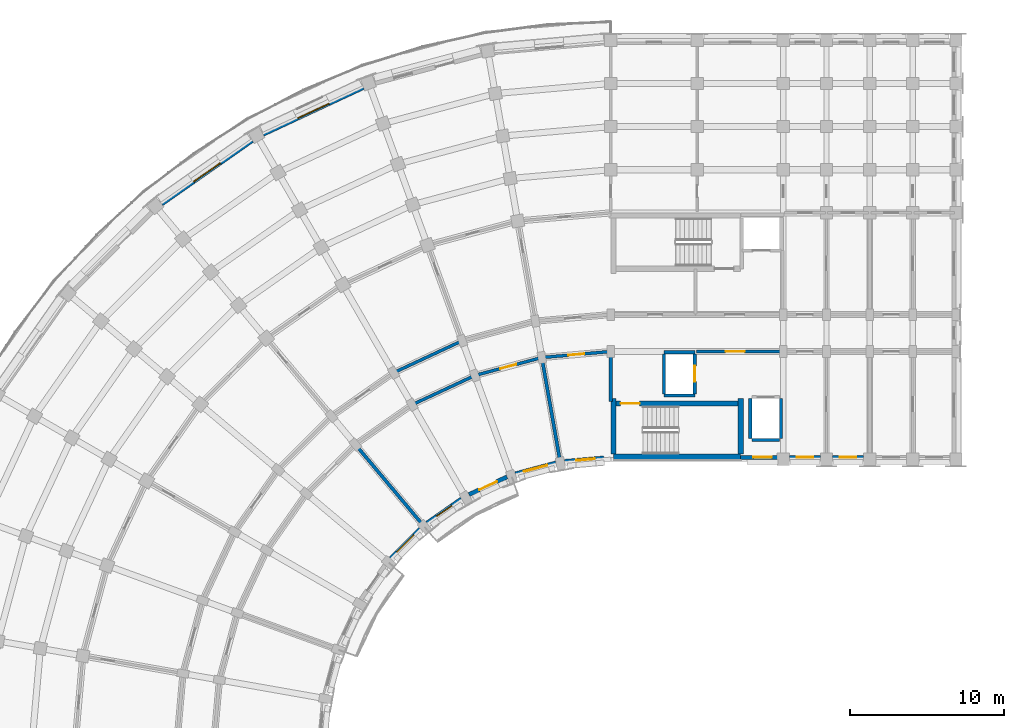
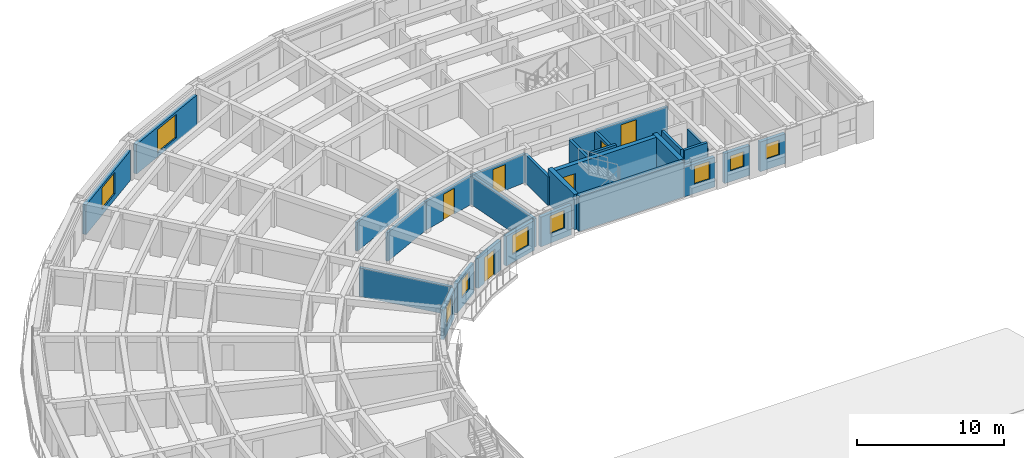
# One storey, part 45 of 76: 29 walls, 9 windows, 6 doors, 15 openings.
"""IFC4 building model written with IfcOpenShell, lengths in metres."""

from ifc_helpers import new_model, si_unit, direction, frame, frame_2d, origin, place, context, subcontext, project, spatial, rectangle, extrude, material, layer, layer_set, type_object, element, fill, save


model = new_model("IFC4")

# Units and contexts
model_context = context("Model", 3, precision=1e-05, world=origin(), true_north=direction((0.0, 1.0)))
body_context = subcontext(model_context, "Body", "Model", "MODEL_VIEW")
ifc_project = project(units=[si_unit("LENGTHUNIT", "METRE"), si_unit("AREAUNIT", "SQUARE_METRE"), si_unit("VOLUMEUNIT", "CUBIC_METRE"), si_unit("PLANEANGLEUNIT", "RADIAN"), si_unit("MASSUNIT", "GRAM", prefix="KILO")], contexts=[model_context])

# Site, building, storey
site_placement = place(None, origin())
site = spatial("IfcSite", under=ifc_project, at=site_placement, CompositionType="ELEMENT")
building_placement = place(site_placement, origin())
building = spatial("IfcBuilding", under=site, at=building_placement, Name="Kiranvali Square Residences", CompositionType="ELEMENT")
storey_placement = place(building_placement, frame((0.0, 0.0, 8.699951171875)))
storey = spatial("IfcBuildingStorey", under=building, at=storey_placement, Name="L02", CompositionType="ELEMENT", Elevation=8.699951171875)

# Wall, opening, door
ifc_material_1 = material(Name="Autoclaved aerated concrete blockwork masonry", Category="masonry")
ifc_layer_1 = layer(ifc_material_1, 0.199951171875)
ifc_layer_set_1 = layer_set([ifc_layer_1], Name="Autoclaved aerated concrete blockwork masonry")
wall_type_1 = type_object("IfcWallType", Name="WL-COR-200", PredefinedType="STANDARD", material=ifc_layer_set_1)
wall_1_placement = place(storey_placement, frame((53.75, 113.60009765625, 0.0), z_axis=(0.0, 0.0, 1.0), x_axis=(1.0, 0.0, 0.0)))
wall_1 = element("IfcWall", 1, at=wall_1_placement, inside=storey, type_object=wall_type_1, Name="L02 architectural wall WL-L02-A-LL-COR", PredefinedType="STANDARD", context=body_context, shape_type="SweptSolid", body=[
    extrude(rectangle(XDim=5.60009765625, YDim=0.199951171875, at=frame_2d((2.800048828125, 0.0))), origin(), (0.0, 0.0, 1.0), 2.3720703125),
])
opening_1_placement = place(wall_1_placement, frame((1.909912109375, 0.0, 0.0)))
opening_1 = element("IfcOpeningElement", 2, at=opening_1_placement, cuts=wall_1, Name="Opening FD-COR-60", PredefinedType="OPENING", context=body_context, shape_type="SweptSolid", body=[
    extrude(rectangle(XDim=1.219970703125, YDim=2.14990234375, at=frame_2d((0.60986328125, 1.074951171875))), frame((0.0, 0.10986328125, 0.0), z_axis=(0.0, -1.0, 0.0), x_axis=(1.0, 0.0, 0.0)), (0.0, 0.0, 1.0), 0.219970703125),
])
ifc_material_2 = material(Name="Fire-rated acoustic hardwood and mineral-core door assembly", Category="wood")
door_type_1 = type_object("IfcDoorType", Name="DR-FD60-1200", OperationType="NOTDEFINED", PredefinedType="DOOR", material=ifc_material_2)
door_1_placement = place(opening_1_placement, frame((1.219970703125, 0.0, 0.0), z_axis=(0.0, 0.0, 1.0), x_axis=(-1.0, 0.0, 0.0)))
door_1 = element("IfcDoor", 3, at=door_1_placement, inside=storey, type_object=door_type_1, Name="L02 door DR-L02-0162 (DR-FD60-1200)", OperationType="SINGLE_SWING_RIGHT", OverallHeight=2.14990234375, OverallWidth=1.219970703125, PredefinedType="DOOR", context=body_context, shape_type="SweptSolid", body=[
    extrude(rectangle(XDim=1.219970703125, YDim=2.14990234375, at=frame_2d((0.60986328125, 1.074951171875))), frame((0.0, 0.02490234375, 0.0), z_axis=(0.0, -1.0, 0.0), x_axis=(1.0, 0.0, 0.0)), (0.0, 0.0, 1.0), 0.050048828125),
])
fill(opening_1, door_1)

wall_2_placement = place(storey_placement, frame((48.199951171875, 113.60009765625, 0.0), z_axis=(0.0, 0.0, 1.0), x_axis=(-0.996191949488, -0.087187153726, 0.0)))
wall_2 = element("IfcWall", 4, at=wall_2_placement, inside=storey, type_object=wall_type_1, Name="L02 architectural wall WL-L02-A-CCI-0", PredefinedType="STANDARD", context=body_context, shape_type="SweptSolid", body=[
    extrude(rectangle(XDim=4.4970703125, YDim=0.199951171875, at=frame_2d((2.24853515625, 0.0))), origin(), (0.0, 0.0, 1.0), 2.3720703125),
])
opening_2_placement = place(wall_2_placement, frame((1.728515625, 0.0, 0.0)))
opening_2 = element("IfcOpeningElement", 5, at=opening_2_placement, cuts=wall_2, Name="Opening FD-APT-60B", PredefinedType="OPENING", context=body_context, shape_type="SweptSolid", body=[
    extrude(rectangle(XDim=1.0400390625, YDim=2.14990234375, at=frame_2d((0.52001953125, 1.074951171875))), frame((0.0, 0.10986328125, 0.0), z_axis=(0.0, -1.0, 0.0), x_axis=(1.0, 0.0, 0.0)), (0.0, 0.0, 1.0), 0.219970703125),
])
door_type_2 = type_object("IfcDoorType", Name="DR-APT-1040", OperationType="NOTDEFINED", PredefinedType="DOOR", material=ifc_material_2)
door_2_placement = place(opening_2_placement, frame((1.0400390625, 0.0, 0.0), z_axis=(0.0, 0.0, 1.0), x_axis=(-1.0, 0.0, 0.0)))
door_2 = element("IfcDoor", 6, at=door_2_placement, inside=storey, type_object=door_type_2, Name="L02 door DR-L02-0200 (DR-APT-1040)", OperationType="SINGLE_SWING_RIGHT", OverallHeight=2.14990234375, OverallWidth=1.0400390625, PredefinedType="DOOR", context=body_context, shape_type="SweptSolid", body=[
    extrude(rectangle(XDim=1.0400390625, YDim=2.14990234375, at=frame_2d((0.52001953125, 1.074951171875))), frame((0.0, 0.02490234375, 0.0), z_axis=(0.0, -1.0, 0.0), x_axis=(1.0, 0.0, 0.0)), (0.0, 0.0, 1.0), 0.050048828125),
])
fill(opening_2, door_2)

wall_3_placement = place(storey_placement, frame((43.719970703125, 113.2080078125, 0.0), z_axis=(0.0, 0.0, 1.0), x_axis=(-0.965934240054, -0.258787642463, 0.0)))
wall_3 = element("IfcWall", 7, at=wall_3_placement, inside=storey, type_object=wall_type_1, Name="L02 architectural wall WL-L02-A-CCI-1", PredefinedType="STANDARD", context=body_context, shape_type="SweptSolid", body=[
    extrude(rectangle(XDim=4.497314453125, YDim=0.199951171875, at=frame_2d((2.24853515625, 0.0))), origin(), (0.0, 0.0, 1.0), 2.3720703125),
])
opening_3_placement = place(wall_3_placement, frame((1.708740234375, 0.0, 0.0)))
opening_3 = element("IfcOpeningElement", 8, at=opening_3_placement, cuts=wall_3, Name="Opening FD-APT-60C", PredefinedType="OPENING", context=body_context, shape_type="SweptSolid", body=[
    extrude(rectangle(XDim=1.080078125, YDim=2.14990234375, at=frame_2d((0.5400390625, 1.074951171875))), frame((0.0, 0.10986328125, 0.0), z_axis=(0.0, -1.0, 0.0), x_axis=(1.0, 0.0, 0.0)), (0.0, 0.0, 1.0), 0.219970703125),
])
door_type_3 = type_object("IfcDoorType", Name="DR-APT-1080", OperationType="NOTDEFINED", PredefinedType="DOOR", material=ifc_material_2)
door_3_placement = place(opening_3_placement, origin())
door_3 = element("IfcDoor", 9, at=door_3_placement, inside=storey, type_object=door_type_3, Name="L02 door DR-L02-0201 (DR-APT-1080)", OperationType="SINGLE_SWING_LEFT", OverallHeight=2.14990234375, OverallWidth=1.080078125, PredefinedType="DOOR", context=body_context, shape_type="SweptSolid", body=[
    extrude(rectangle(XDim=1.080078125, YDim=2.14990234375, at=frame_2d((0.5400390625, 1.074951171875))), frame((0.0, 0.02490234375, 0.0), z_axis=(0.0, -1.0, 0.0), x_axis=(1.0, 0.0, 0.0)), (0.0, 0.0, 1.0), 0.050048828125),
])
fill(opening_3, door_3)

# Walls
wall_4_placement = place(storey_placement, frame((39.3759765625, 112.044189453125, 0.0), z_axis=(0.0, 0.0, 1.0), x_axis=(-0.906307919131, -0.422617978463, 0.0)))
element("IfcWall", 10, at=wall_4_placement, inside=storey, type_object=wall_type_1, Name="L02 architectural wall WL-L02-A-CCI-2", PredefinedType="STANDARD", context=body_context, shape_type="SweptSolid", body=[
    extrude(rectangle(XDim=4.497314453125, YDim=0.199951171875, at=frame_2d((2.24853515625, 0.0))), origin(), (0.0, 0.0, 1.0), 2.3720703125),
])
wall_5_placement = place(storey_placement, frame((38.554931640625, 114.29931640625, 0.0), z_axis=(0.0, 0.0, 1.0), x_axis=(-0.906302381024, -0.422629854778, 0.0)))
element("IfcWall", 11, at=wall_5_placement, inside=storey, type_object=wall_type_1, Name="L02 architectural wall WL-L02-A-CCO-2", PredefinedType="STANDARD", context=body_context, shape_type="SweptSolid", body=[
    extrude(rectangle(XDim=4.915283203125, YDim=0.199951171875, at=frame_2d((2.45751953125, 0.0))), origin(), (0.0, 0.0, 1.0), 2.3720703125),
])
ifc_layer_2 = layer(ifc_material_1, 0.219970703125)
ifc_layer_set_2 = layer_set([ifc_layer_2], Name="Autoclaved aerated concrete blockwork masonry")
wall_type_2 = type_object("IfcWallType", Name="WL-DEM-220", PredefinedType="STANDARD", material=ifc_layer_set_2)
wall_6_placement = place(storey_placement, frame((48.199951171875, 110.35009765625, 0.0), z_axis=(0.0, 0.0, 1.0), x_axis=(0.0, 1.0, 0.0)))
element("IfcWall", 12, at=wall_6_placement, inside=storey, type_object=wall_type_2, Name="L02 architectural wall WL-L02-A-RADI-0", PredefinedType="STANDARD", context=body_context, shape_type="SweptSolid", body=[
    extrude(rectangle(XDim=3.199951171875, YDim=0.219970703125, at=frame_2d((1.60009765625, 0.0))), origin(), (0.0, 0.0, 1.0), 2.3720703125),
])
for number, where, z_axis, x_axis, name in (
    (13, (44.900634765625, 106.51123046875, 0.0), (0.0, 0.0, 1.0), (-0.173647089161, 0.984807944945, 0.0), "L02 architectural wall WL-L02-A-RADI-1"),
    (14, (35.987060546875, 102.354736328125, 0.0), (0.0, 0.0, 1.0), (-0.642784846501, 0.766046761698, 0.0), "L02 architectural wall WL-L02-A-RADI-4"),
):
    element("IfcWall", number, at=place(storey_placement, frame(where, z_axis=z_axis, x_axis=x_axis)), inside=storey, type_object=wall_type_2, Name=name, PredefinedType="STANDARD", context=body_context, shape_type="SweptSolid", body=[
        extrude(rectangle(XDim=6.75, YDim=0.219970703125, at=frame_2d((3.375, 0.0))), origin(), (0.0, 0.0, 1.0), 2.3720703125),
    ])

# Wall, opening, window
ifc_material_3 = material(Name="Breathable lime-rendered clay brick masonry", Category="masonry")
ifc_layer_3 = layer(ifc_material_3, 0.27490234375)
ifc_layer_set_3 = layer_set([ifc_layer_3], Name="Breathable lime-rendered clay brick masonry")
wall_type_3 = type_object("IfcWallType", Name="WL-EXT-275", PredefinedType="STANDARD", material=ifc_layer_set_3)
wall_7_placement = place(storey_placement, frame((32.1328125, 130.732177734375, 0.0), z_axis=(0.0, 0.0, 1.0), x_axis=(-0.906300636296, -0.422633596215, 0.0)))
wall_7 = element("IfcWall", 15, at=wall_7_placement, inside=storey, type_object=wall_type_3, Name="L02 exterior wall A-L02-CRV-02", PredefinedType="STANDARD", context=body_context, shape_type="SweptSolid", body=[
    extrude(rectangle(XDim=7.164306640625, YDim=0.27490234375, at=frame_2d((3.58203125, 0.0))), origin(), (0.0, 0.0, 1.0), 2.47216796875),
])
opening_4_placement = place(wall_7_placement, frame((2.45703125, 0.0, 0.322021484375)))
opening_4 = element("IfcOpeningElement", 16, at=opening_4_placement, cuts=wall_7, Name="Opening W-11", PredefinedType="OPENING", context=body_context, shape_type="SweptSolid", body=[
    extrude(rectangle(XDim=2.25, YDim=1.949951171875, at=frame_2d((1.125, 0.97509765625))), frame((0.0, 0.1474609375, 0.0), z_axis=(0.0, -1.0, 0.0), x_axis=(1.0, 0.0, 0.0)), (0.0, 0.0, 1.0), 0.294921875),
])
ifc_material_4 = material(Name="Solar-control low-e double glazing", Category="glass")
window_type_1 = type_object("IfcWindowType", Name="WIN-RES-2250x1950", PartitioningType="TRIPLE_PANEL_VERTICAL", PredefinedType="WINDOW", material=ifc_material_4)
window_1_placement = place(opening_4_placement, origin())
window_1 = element("IfcWindow", 17, at=window_1_placement, inside=storey, type_object=window_type_1, Name="L02 recessed window A-L02-CRV-02", OverallHeight=1.949951171875, OverallWidth=2.25, PartitioningType="TRIPLE_PANEL_VERTICAL", PredefinedType="WINDOW", context=body_context, shape_type="SweptSolid", body=[
    extrude(rectangle(XDim=2.25, YDim=1.949951171875, at=frame_2d((1.125, 0.97509765625))), frame((0.0, 0.030029296875, 0.0), z_axis=(0.0, -1.0, 0.0), x_axis=(1.0, 0.0, 0.0)), (0.0, 0.0, 1.0), 0.06005859375),
])
fill(opening_4, window_1)

wall_8_placement = place(storey_placement, frame((24.921875, 127.289794921875, 0.0), z_axis=(0.0, 0.0, 1.0), x_axis=(-0.819161471697, -0.573562972382, 0.0)))
wall_8 = element("IfcWall", 18, at=wall_8_placement, inside=storey, type_object=wall_type_3, Name="L02 exterior wall A-L02-CRV-03", PredefinedType="STANDARD", context=body_context, shape_type="SweptSolid", body=[
    extrude(rectangle(XDim=7.164306640625, YDim=0.27490234375, at=frame_2d((3.58203125, 0.0))), origin(), (0.0, 0.0, 1.0), 2.47216796875),
])
opening_5_placement = place(wall_8_placement, frame((2.531982421875, 0.0, 0.471923828125)))
opening_5 = element("IfcOpeningElement", 19, at=opening_5_placement, cuts=wall_8, Name="Opening W-03", PredefinedType="OPENING", context=body_context, shape_type="SweptSolid", body=[
    extrude(rectangle(XDim=2.10009765625, YDim=1.800048828125, at=frame_2d((1.050048828125, 0.89990234375))), frame((0.0, 0.1474609375, 0.0), z_axis=(0.0, -1.0, 0.0), x_axis=(1.0, 0.0, 0.0)), (0.0, 0.0, 1.0), 0.294921875),
])
window_type_2 = type_object("IfcWindowType", Name="WIN-RES-2100x1800", PartitioningType="TRIPLE_PANEL_VERTICAL", PredefinedType="WINDOW", material=ifc_material_4)
window_2_placement = place(opening_5_placement, origin())
window_2 = element("IfcWindow", 20, at=window_2_placement, inside=storey, type_object=window_type_2, Name="L02 recessed window A-L02-CRV-03", OverallHeight=1.800048828125, OverallWidth=2.10009765625, PartitioningType="TRIPLE_PANEL_VERTICAL", PredefinedType="WINDOW", context=body_context, shape_type="SweptSolid", body=[
    extrude(rectangle(XDim=2.10009765625, YDim=1.800048828125, at=frame_2d((1.050048828125, 0.89990234375))), frame((0.0, 0.030029296875, 0.0), z_axis=(0.0, -1.0, 0.0), x_axis=(1.0, 0.0, 0.0)), (0.0, 0.0, 1.0), 0.06005859375),
])
fill(opening_5, window_2)

wall_9_placement = place(storey_placement, frame((47.750732421875, 106.686279296875, 0.0), z_axis=(0.0, 0.0, 1.0), x_axis=(-0.996194235595, -0.08716102895, 0.0)))
wall_9 = element("IfcWall", 21, at=wall_9_placement, inside=storey, type_object=wall_type_3, Name="L02 exterior wall A-L02-GDN-00", PredefinedType="STANDARD", context=body_context, shape_type="SweptSolid", body=[
    extrude(rectangle(XDim=2.557373046875, YDim=0.27490234375, at=frame_2d((1.27880859375, 0.0))), origin(), (0.0, 0.0, 1.0), 2.47216796875),
])
opening_6_placement = place(wall_9_placement, frame((0.5986328125, 0.0, 0.77197265625)))
opening_6 = element("IfcOpeningElement", 22, at=opening_6_placement, cuts=wall_9, Name="Opening W-06", PredefinedType="OPENING", context=body_context, shape_type="SweptSolid", body=[
    extrude(rectangle(XDim=1.199951171875, YDim=1.5, at=frame_2d((0.60009765625, 0.75))), frame((0.0, 0.1474609375, 0.0), z_axis=(0.0, -1.0, 0.0), x_axis=(1.0, 0.0, 0.0)), (0.0, 0.0, 1.0), 0.294921875),
])
window_type_3 = type_object("IfcWindowType", Name="WIN-RES-1200x1500", PartitioningType="SINGLE_PANEL", PredefinedType="WINDOW", material=ifc_material_4)
window_3_placement = place(opening_6_placement, origin())
window_3 = element("IfcWindow", 23, at=window_3_placement, inside=storey, type_object=window_type_3, Name="L02 recessed window A-L02-GDN-00", OverallHeight=1.5, OverallWidth=1.199951171875, PartitioningType="SINGLE_PANEL", PredefinedType="WINDOW", context=body_context, shape_type="SweptSolid", body=[
    extrude(rectangle(XDim=1.199951171875, YDim=1.5, at=frame_2d((0.60009765625, 0.75))), frame((0.0, 0.030029296875, 0.0), z_axis=(0.0, -1.0, 0.0), x_axis=(1.0, 0.0, 0.0)), (0.0, 0.0, 1.0), 0.06005859375),
])
fill(opening_6, window_3)

wall_10_placement = place(storey_placement, frame((44.6328125, 106.36279296875, 0.0), z_axis=(0.0, 0.0, 1.0), x_axis=(-0.965925595341, -0.258819907011, 0.0)))
wall_10 = element("IfcWall", 24, at=wall_10_placement, inside=storey, type_object=wall_type_3, Name="L02 exterior wall A-L02-GDN-01", PredefinedType="STANDARD", context=body_context, shape_type="SweptSolid", body=[
    extrude(rectangle(XDim=2.717529296875, YDim=0.27490234375, at=frame_2d((1.35888671875, 0.0))), origin(), (0.0, 0.0, 1.0), 2.47216796875),
])
opening_7_placement = place(wall_10_placement, frame((0.583740234375, 0.0, 0.672119140625)))
opening_7 = element("IfcOpeningElement", 25, at=opening_7_placement, cuts=wall_10, Name="Opening W-18", PredefinedType="OPENING", context=body_context, shape_type="SweptSolid", body=[
    extrude(rectangle(XDim=1.550048828125, YDim=1.60009765625, at=frame_2d((0.77490234375, 0.800048828125))), frame((0.0, 0.1474609375, 0.0), z_axis=(0.0, -1.0, 0.0), x_axis=(1.0, 0.0, 0.0)), (0.0, 0.0, 1.0), 0.294921875),
])
window_type_4 = type_object("IfcWindowType", Name="WIN-GDN-1550x1600", PartitioningType="DOUBLE_PANEL_VERTICAL", PredefinedType="WINDOW", material=ifc_material_4)
window_4_placement = place(opening_7_placement, origin())
window_4 = element("IfcWindow", 26, at=window_4_placement, inside=storey, type_object=window_type_4, Name="L02 recessed window A-L02-GDN-01", OverallHeight=1.60009765625, OverallWidth=1.550048828125, PartitioningType="DOUBLE_PANEL_VERTICAL", PredefinedType="WINDOW", context=body_context, shape_type="SweptSolid", body=[
    extrude(rectangle(XDim=1.550048828125, YDim=1.60009765625, at=frame_2d((0.77490234375, 0.800048828125))), frame((0.0, 0.030029296875, 0.0), z_axis=(0.0, -1.0, 0.0), x_axis=(1.0, 0.0, 0.0)), (0.0, 0.0, 1.0), 0.06005859375),
])
fill(opening_7, window_4)

# Wall, opening, door
wall_11_placement = place(storey_placement, frame((41.463623046875, 105.461181640625, 0.0), z_axis=(0.0, 0.0, 1.0), x_axis=(-0.906311629168, -0.422610022166, 0.0)))
wall_11 = element("IfcWall", 27, at=wall_11_placement, inside=storey, type_object=wall_type_3, Name="L02 exterior wall A-L02-GDN-02", PredefinedType="STANDARD", context=body_context, shape_type="SweptSolid", body=[
    extrude(rectangle(XDim=2.717529296875, YDim=0.27490234375, at=frame_2d((1.35888671875, 0.0))), origin(), (0.0, 0.0, 1.0), 2.47216796875),
])
opening_8_placement = place(wall_11_placement, frame((0.728759765625, 0.0, 0.0)))
opening_8 = element("IfcOpeningElement", 28, at=opening_8_placement, cuts=wall_11, Name="Opening ED-BAL-2", PredefinedType="OPENING", context=body_context, shape_type="SweptSolid", body=[
    extrude(rectangle(XDim=1.260009765625, YDim=2.14990234375, at=frame_2d((0.6298828125, 1.074951171875))), frame((0.0, 0.1474609375, 0.0), z_axis=(0.0, -1.0, 0.0), x_axis=(1.0, 0.0, 0.0)), (0.0, 0.0, 1.0), 0.294921875),
])
ifc_material_5 = material(Name="Anodised bronze aluminium framing", Category="aluminium")
door_type_4 = type_object("IfcDoorType", Name="DR-BAL-1260", OperationType="NOTDEFINED", PredefinedType="DOOR", material=ifc_material_5)
door_4_placement = place(opening_8_placement, origin())
door_4 = element("IfcDoor", 29, at=door_4_placement, inside=storey, type_object=door_type_4, Name="L02 balcony terrace door", OperationType="SINGLE_SWING_RIGHT", OverallHeight=2.14990234375, OverallWidth=1.260009765625, PredefinedType="DOOR", context=body_context, shape_type="SweptSolid", body=[
    extrude(rectangle(XDim=1.260009765625, YDim=2.14990234375, at=frame_2d((0.6298828125, 1.074951171875))), frame((0.0, 0.02490234375, 0.0), z_axis=(0.0, -1.0, 0.0), x_axis=(1.0, 0.0, 0.0)), (0.0, 0.0, 1.0), 0.050048828125),
])
fill(opening_8, door_4)

# Wall, opening, window
wall_12_placement = place(storey_placement, frame((38.4990234375, 104.023193359375, 0.0), z_axis=(0.0, 0.0, 1.0), x_axis=(-0.81917282593, -0.573546755948, 0.0)))
wall_12 = element("IfcWall", 30, at=wall_12_placement, inside=storey, type_object=wall_type_3, Name="L02 exterior wall A-L02-GDN-03", PredefinedType="STANDARD", context=body_context, shape_type="SweptSolid", body=[
    extrude(rectangle(XDim=2.717529296875, YDim=0.27490234375, at=frame_2d((1.35888671875, 0.0))), origin(), (0.0, 0.0, 1.0), 2.47216796875),
])
opening_9_placement = place(wall_12_placement, frame((0.7587890625, 0.0, 0.77197265625)))
opening_9 = element("IfcOpeningElement", 31, at=opening_9_placement, cuts=wall_12, Name="Opening W-06", PredefinedType="OPENING", context=body_context, shape_type="SweptSolid", body=[
    extrude(rectangle(XDim=1.199951171875, YDim=1.5, at=frame_2d((0.60009765625, 0.75))), frame((0.0, 0.1474609375, 0.0), z_axis=(0.0, -1.0, 0.0), x_axis=(1.0, 0.0, 0.0)), (0.0, 0.0, 1.0), 0.294921875),
])
window_5_placement = place(opening_9_placement, origin())
window_5 = element("IfcWindow", 32, at=window_5_placement, inside=storey, type_object=window_type_3, Name="L02 recessed window A-L02-GDN-03", OverallHeight=1.5, OverallWidth=1.199951171875, PartitioningType="SINGLE_PANEL", PredefinedType="WINDOW", context=body_context, shape_type="SweptSolid", body=[
    extrude(rectangle(XDim=1.199951171875, YDim=1.5, at=frame_2d((0.60009765625, 0.75))), frame((0.0, 0.030029296875, 0.0), z_axis=(0.0, -1.0, 0.0), x_axis=(1.0, 0.0, 0.0)), (0.0, 0.0, 1.0), 0.06005859375),
])
fill(opening_9, window_5)

wall_13_placement = place(storey_placement, frame((35.829345703125, 102.09228515625, 0.0), z_axis=(0.0, 0.0, 1.0), x_axis=(-0.707106781187, -0.707106781187, 0.0)))
wall_13 = element("IfcWall", 33, at=wall_13_placement, inside=storey, type_object=wall_type_3, Name="L02 exterior wall A-L02-GDN-04", PredefinedType="STANDARD", context=body_context, shape_type="SweptSolid", body=[
    extrude(rectangle(XDim=2.717529296875, YDim=0.27490234375, at=frame_2d((1.35888671875, 0.0))), origin(), (0.0, 0.0, 1.0), 2.47216796875),
])
opening_10_placement = place(wall_13_placement, frame((0.583740234375, 0.0, 0.672119140625)))
opening_10 = element("IfcOpeningElement", 34, at=opening_10_placement, cuts=wall_13, Name="Opening W-18", PredefinedType="OPENING", context=body_context, shape_type="SweptSolid", body=[
    extrude(rectangle(XDim=1.550048828125, YDim=1.60009765625, at=frame_2d((0.77490234375, 0.800048828125))), frame((0.0, 0.1474609375, 0.0), z_axis=(0.0, -1.0, 0.0), x_axis=(1.0, 0.0, 0.0)), (0.0, 0.0, 1.0), 0.294921875),
])
window_6_placement = place(opening_10_placement, origin())
window_6 = element("IfcWindow", 35, at=window_6_placement, inside=storey, type_object=window_type_4, Name="L02 recessed window A-L02-GDN-04", OverallHeight=1.60009765625, OverallWidth=1.550048828125, PartitioningType="DOUBLE_PANEL_VERTICAL", PredefinedType="WINDOW", context=body_context, shape_type="SweptSolid", body=[
    extrude(rectangle(XDim=1.550048828125, YDim=1.60009765625, at=frame_2d((0.77490234375, 0.800048828125))), frame((0.0, 0.030029296875, 0.0), z_axis=(0.0, -1.0, 0.0), x_axis=(1.0, 0.0, 0.0)), (0.0, 0.0, 1.0), 0.06005859375),
])
fill(opening_10, window_6)

wall_14_placement = place(storey_placement, frame((56.62841796875, 106.72509765625, 0.0), z_axis=(0.0, 0.0, 1.0), x_axis=(1.0, 0.0, 0.0)))
wall_14 = element("IfcWall", 36, at=wall_14_placement, inside=storey, type_object=wall_type_3, Name="L02 exterior wall A-L02-A1IN-0", PredefinedType="STANDARD", context=body_context, shape_type="SweptSolid", body=[
    extrude(rectangle(XDim=2.421630859375, YDim=0.27490234375, at=frame_2d((1.2109375, 0.0))), origin(), (0.0, 0.0, 1.0), 2.47216796875),
])
opening_11_placement = place(wall_14_placement, frame((0.821533203125, 0.0, 0.77197265625)))
opening_11 = element("IfcOpeningElement", 37, at=opening_11_placement, cuts=wall_14, Name="Opening W-06", PredefinedType="OPENING", context=body_context, shape_type="SweptSolid", body=[
    extrude(rectangle(XDim=1.199951171875, YDim=1.5, at=frame_2d((0.60009765625, 0.75))), frame((0.0, 0.1474609375, 0.0), z_axis=(0.0, -1.0, 0.0), x_axis=(1.0, 0.0, 0.0)), (0.0, 0.0, 1.0), 0.294921875),
])
window_7_placement = place(opening_11_placement, origin())
window_7 = element("IfcWindow", 38, at=window_7_placement, inside=storey, type_object=window_type_3, Name="L02 recessed window A-L02-A1IN-0", OverallHeight=1.5, OverallWidth=1.199951171875, PartitioningType="SINGLE_PANEL", PredefinedType="WINDOW", context=body_context, shape_type="SweptSolid", body=[
    extrude(rectangle(XDim=1.199951171875, YDim=1.5, at=frame_2d((0.60009765625, 0.75))), frame((0.0, 0.030029296875, 0.0), z_axis=(0.0, -1.0, 0.0), x_axis=(1.0, 0.0, 0.0)), (0.0, 0.0, 1.0), 0.06005859375),
])
fill(opening_11, window_7)

wall_15_placement = place(storey_placement, frame((59.803466796875, 106.72509765625, 0.0), z_axis=(0.0, 0.0, 1.0), x_axis=(1.0, 0.0, 0.0)))
wall_15 = element("IfcWall", 39, at=wall_15_placement, inside=storey, type_object=wall_type_3, Name="L02 exterior wall A-L02-A1I-0", PredefinedType="STANDARD", context=body_context, shape_type="SweptSolid", body=[
    extrude(rectangle(XDim=1.992919921875, YDim=0.27490234375, at=frame_2d((0.99658203125, 0.0))), origin(), (0.0, 0.0, 1.0), 2.47216796875),
])
opening_12_placement = place(wall_15_placement, frame((0.471435546875, 0.0, 0.8798828125)))
opening_12 = element("IfcOpeningElement", 40, at=opening_12_placement, cuts=wall_15, Name="Opening W-24", PredefinedType="OPENING", context=body_context, shape_type="SweptSolid", body=[
    extrude(rectangle(XDim=1.050048828125, YDim=1.25, at=frame_2d((0.52490234375, 0.625))), frame((0.0, 0.1474609375, 0.0), z_axis=(0.0, -1.0, 0.0), x_axis=(1.0, 0.0, 0.0)), (0.0, 0.0, 1.0), 0.294921875),
])
window_type_5 = type_object("IfcWindowType", Name="WIN-COR-1050x1250", PartitioningType="SINGLE_PANEL", PredefinedType="WINDOW", material=ifc_material_4)
window_8_placement = place(opening_12_placement, origin())
window_8 = element("IfcWindow", 41, at=window_8_placement, inside=storey, type_object=window_type_5, Name="L02 recessed window A-L02-A1I-0", OverallHeight=1.25, OverallWidth=1.050048828125, PartitioningType="SINGLE_PANEL", PredefinedType="WINDOW", context=body_context, shape_type="SweptSolid", body=[
    extrude(rectangle(XDim=1.050048828125, YDim=1.25, at=frame_2d((0.52490234375, 0.625))), frame((0.0, 0.030029296875, 0.0), z_axis=(0.0, -1.0, 0.0), x_axis=(1.0, 0.0, 0.0)), (0.0, 0.0, 1.0), 0.06005859375),
])
fill(opening_12, window_8)

wall_16_placement = place(storey_placement, frame((62.603515625, 106.72509765625, 0.0), z_axis=(0.0, 0.0, 1.0), x_axis=(1.0, 0.0, 0.0)))
wall_16 = element("IfcWall", 42, at=wall_16_placement, inside=storey, type_object=wall_type_3, Name="L02 exterior wall A-L02-A1I-1", PredefinedType="STANDARD", context=body_context, shape_type="SweptSolid", body=[
    extrude(rectangle(XDim=1.992919921875, YDim=0.27490234375, at=frame_2d((0.99658203125, 0.0))), origin(), (0.0, 0.0, 1.0), 2.47216796875),
])
opening_13_placement = place(wall_16_placement, frame((0.471435546875, 0.0, 0.8798828125)))
opening_13 = element("IfcOpeningElement", 43, at=opening_13_placement, cuts=wall_16, Name="Opening W-24", PredefinedType="OPENING", context=body_context, shape_type="SweptSolid", body=[
    extrude(rectangle(XDim=1.050048828125, YDim=1.25, at=frame_2d((0.52490234375, 0.625))), frame((0.0, 0.1474609375, 0.0), z_axis=(0.0, -1.0, 0.0), x_axis=(1.0, 0.0, 0.0)), (0.0, 0.0, 1.0), 0.294921875),
])
window_9_placement = place(opening_13_placement, origin())
window_9 = element("IfcWindow", 44, at=window_9_placement, inside=storey, type_object=window_type_5, Name="L02 recessed window A-L02-A1I-1", OverallHeight=1.25, OverallWidth=1.050048828125, PartitioningType="SINGLE_PANEL", PredefinedType="WINDOW", context=body_context, shape_type="SweptSolid", body=[
    extrude(rectangle(XDim=1.050048828125, YDim=1.25, at=frame_2d((0.52490234375, 0.625))), frame((0.0, 0.030029296875, 0.0), z_axis=(0.0, -1.0, 0.0), x_axis=(1.0, 0.0, 0.0)), (0.0, 0.0, 1.0), 0.06005859375),
])
fill(opening_13, window_9)

# Walls
ifc_layer_4 = layer(ifc_material_1, 0.199951171875)
ifc_layer_set_4 = layer_set([ifc_layer_4], Name="Autoclaved aerated concrete blockwork masonry")
wall_type_4 = type_object("IfcWallType", Name="WL-SHF-200", PredefinedType="STANDARD", material=ifc_layer_set_4)
wall_17_placement = place(storey_placement, frame((57.25, 107.949951171875, 0.0), z_axis=(0.0, 0.0, 1.0), x_axis=(0.0, 1.0, 0.0)))
element("IfcWall", 45, at=wall_17_placement, inside=storey, type_object=wall_type_4, Name="L02 architectural wall WL-L02-A-LP1-S1", PredefinedType="STANDARD", context=body_context, shape_type="SweptSolid", body=[
    extrude(rectangle(XDim=2.60009765625, YDim=0.199951171875, at=frame_2d((1.300048828125, 0.0))), origin(), (0.0, 0.0, 1.0), 2.929931640625),
])
wall_18_placement = place(storey_placement, frame((59.25, 107.949951171875, 0.0), z_axis=(0.0, 0.0, 1.0), x_axis=(0.0, 1.0, 0.0)))
element("IfcWall", 46, at=wall_18_placement, inside=storey, type_object=wall_type_4, Name="L02 architectural wall WL-L02-A-LP1-B", PredefinedType="STANDARD", context=body_context, shape_type="SweptSolid", body=[
    extrude(rectangle(XDim=2.60009765625, YDim=0.199951171875, at=frame_2d((1.300048828125, 0.0))), origin(), (0.0, 0.0, 1.0), 2.3720703125),
])
wall_19_placement = place(storey_placement, frame((57.35009765625, 107.85009765625, 0.0), z_axis=(0.0, 0.0, 1.0), x_axis=(1.0, 0.0, 0.0)))
element("IfcWall", 47, at=wall_19_placement, inside=storey, type_object=wall_type_4, Name="L02 architectural wall WL-L02-A-LP1-S2", PredefinedType="STANDARD", context=body_context, shape_type="SweptSolid", body=[
    extrude(rectangle(XDim=1.7998046875, YDim=0.199951171875, at=frame_2d((0.89990234375, 0.0))), origin(), (0.0, 0.0, 1.0), 2.929931640625),
])
wall_20_placement = place(storey_placement, frame((51.64990234375, 110.75, 0.0), z_axis=(0.0, 0.0, 1.0), x_axis=(1.0, 0.0, 0.0)))
element("IfcWall", 48, at=wall_20_placement, inside=storey, type_object=wall_type_4, Name="L02 architectural wall WL-L02-A-LP2-S0", PredefinedType="STANDARD", context=body_context, shape_type="SweptSolid", body=[
    extrude(rectangle(XDim=2.0, YDim=0.199951171875, at=frame_2d((1.0, 0.0))), origin(), (0.0, 0.0, 1.0), 2.929931640625),
])
wall_21_placement = place(storey_placement, frame((51.64990234375, 113.550048828125, 0.0), z_axis=(0.0, 0.0, 1.0), x_axis=(1.0, 0.0, 0.0)))
element("IfcWall", 49, at=wall_21_placement, inside=storey, type_object=wall_type_4, Name="L02 architectural wall WL-L02-A-LP2-B", PredefinedType="STANDARD", context=body_context, shape_type="SweptSolid", body=[
    extrude(rectangle(XDim=2.0, YDim=0.199951171875, at=frame_2d((1.0, 0.0))), origin(), (0.0, 0.0, 1.0), 2.3720703125),
])
wall_22_placement = place(storey_placement, frame((51.64990234375, 110.85009765625, 0.0), z_axis=(0.0, 0.0, 1.0), x_axis=(0.0, 1.0, 0.0)))
element("IfcWall", 50, at=wall_22_placement, inside=storey, type_object=wall_type_4, Name="L02 architectural wall WL-L02-A-LP2-S1", PredefinedType="STANDARD", context=body_context, shape_type="SweptSolid", body=[
    extrude(rectangle(XDim=2.599853515625, YDim=0.199951171875, at=frame_2d((1.2998046875, 0.0))), origin(), (0.0, 0.0, 1.0), 2.3720703125),
])

# Wall, opening, door
wall_23_placement = place(storey_placement, frame((53.64990234375, 110.85009765625, 0.0), z_axis=(0.0, 0.0, 1.0), x_axis=(0.0, 1.0, 0.0)))
wall_23 = element("IfcWall", 51, at=wall_23_placement, inside=storey, type_object=wall_type_4, Name="L02 architectural wall WL-L02-A-LP2-F", PredefinedType="STANDARD", context=body_context, shape_type="SweptSolid", body=[
    extrude(rectangle(XDim=2.599853515625, YDim=0.199951171875, at=frame_2d((1.2998046875, 0.0))), origin(), (0.0, 0.0, 1.0), 2.3720703125),
])
opening_14_placement = place(wall_23_placement, frame((0.7900390625, 0.0, 0.0)))
opening_14 = element("IfcOpeningElement", 52, at=opening_14_placement, cuts=wall_23, Name="Opening LD-PAX-100", PredefinedType="OPENING", context=body_context, shape_type="SweptSolid", body=[
    extrude(rectangle(XDim=1.02001953125, YDim=2.14990234375, at=frame_2d((0.510009765625, 1.074951171875))), frame((0.0, 0.10986328125, 0.0), z_axis=(0.0, -1.0, 0.0), x_axis=(1.0, 0.0, 0.0)), (0.0, 0.0, 1.0), 0.219970703125),
])
door_type_5 = type_object("IfcDoorType", Name="DR-LIFT-1000", OperationType="SLIDING_TO_RIGHT", PredefinedType="DOOR", material=ifc_material_2)
door_5_placement = place(opening_14_placement, origin())
door_5 = element("IfcDoor", 53, at=door_5_placement, inside=storey, type_object=door_type_5, Name="L02 door DR-L02-0161 (DR-LIFT-1000)", OperationType="SLIDING_TO_RIGHT", OverallHeight=2.14990234375, OverallWidth=1.02001953125, PredefinedType="DOOR", context=body_context, shape_type="SweptSolid", body=[
    extrude(rectangle(XDim=1.02001953125, YDim=2.14990234375, at=frame_2d((0.510009765625, 1.074951171875))), frame((0.0, 0.02490234375, 0.0), z_axis=(0.0, -1.0, 0.0), x_axis=(1.0, 0.0, 0.0)), (0.0, 0.0, 1.0), 0.050048828125),
])
fill(opening_14, door_5)

# Wall
ifc_material_6 = material(Name="Concrete M50 (50 MPa)", Category="concrete")
ifc_layer_5 = layer(ifc_material_6, 0.35009765625)
ifc_layer_set_5 = layer_set([ifc_layer_5], Name="Concrete M50 (50 MPa)")
wall_type_5 = type_object("IfcWallType", Name="WL-SHR-350", PredefinedType="SHEAR", material=ifc_layer_set_5)
wall_24_placement = place(storey_placement, frame((48.375, 106.77490234375, 0.0), z_axis=(0.0, 0.0, 1.0), x_axis=(1.0, 0.0, 0.0)))
element("IfcWall", 54, at=wall_24_placement, inside=storey, type_object=wall_type_5, Name="Block A core shear wall SW-A2-OUT-L02", PredefinedType="SHEAR", context=body_context, shape_type="SweptSolid", body=[
    extrude(rectangle(XDim=8.25, YDim=0.35009765625, at=frame_2d((4.125, 0.0))), origin(), (0.0, 0.0, 1.0), 2.929931640625),
])

# Wall, opening, door
wall_25_placement = place(storey_placement, frame((48.550048828125, 110.22509765625, 0.0), z_axis=(0.0, 0.0, 1.0), x_axis=(1.0, 0.0, 0.0)))
wall_25 = element("IfcWall", 55, at=wall_25_placement, inside=storey, type_object=wall_type_5, Name="Block A core shear wall SW-A2-IN-L02", PredefinedType="SHEAR", context=body_context, shape_type="SweptSolid", body=[
    extrude(rectangle(XDim=7.89990234375, YDim=0.35009765625, at=frame_2d((3.949951171875, 0.0))), origin(), (0.0, 0.0, 1.0), 2.929931640625),
])
opening_15_placement = place(wall_25_placement, frame((0.280029296875, 0.0, 0.0)))
opening_15 = element("IfcOpeningElement", 56, at=opening_15_placement, cuts=wall_25, Name="Opening FD-ST-120", PredefinedType="OPENING", context=body_context, shape_type="SweptSolid", body=[
    extrude(rectangle(XDim=1.239990234375, YDim=2.14990234375, at=frame_2d((0.6201171875, 1.074951171875))), frame((0.0, 0.18505859375, 0.0), z_axis=(0.0, -1.0, 0.0), x_axis=(1.0, 0.0, 0.0)), (0.0, 0.0, 1.0), 0.3701171875),
])
door_type_6 = type_object("IfcDoorType", Name="DR-FD120-1200", OperationType="NOTDEFINED", PredefinedType="DOOR", material=ifc_material_2)
door_6_placement = place(opening_15_placement, frame((1.239990234375, 0.0, 0.0), z_axis=(0.0, 0.0, 1.0), x_axis=(-1.0, 0.0, 0.0)))
door_6 = element("IfcDoor", 57, at=door_6_placement, inside=storey, type_object=door_type_6, Name="L02 door DR-L02-0158 (DR-FD120-1200)", OperationType="SINGLE_SWING_RIGHT", OverallHeight=2.14990234375, OverallWidth=1.239990234375, PredefinedType="DOOR", context=body_context, shape_type="SweptSolid", body=[
    extrude(rectangle(XDim=1.239990234375, YDim=2.14990234375, at=frame_2d((0.6201171875, 1.074951171875))), frame((0.0, 0.02490234375, 0.0), z_axis=(0.0, -1.0, 0.0), x_axis=(1.0, 0.0, 0.0)), (0.0, 0.0, 1.0), 0.050048828125),
])
fill(opening_15, door_6)

# Walls
for number, where, z_axis, x_axis, name in (
    (58, (48.375, 106.949951171875, 0.0), (0.0, 0.0, 1.0), (0.0, 1.0, 0.0), "Block A core shear wall SW-A2-NEAR-L02"),
    (59, (56.625, 106.949951171875, 0.0), (0.0, 0.0, 1.0), (0.0, 1.0, 0.0), "Block A core shear wall SW-A2-FAR-L02"),
):
    element("IfcWall", number, at=place(storey_placement, frame(where, z_axis=z_axis, x_axis=x_axis)), inside=storey, type_object=wall_type_5, Name=name, PredefinedType="SHEAR", context=body_context, shape_type="SweptSolid", body=[
        extrude(rectangle(XDim=3.60009765625, YDim=0.35009765625, at=frame_2d((1.800048828125, 0.0))), origin(), (0.0, 0.0, 1.0), 2.929931640625),
    ])

save(model, "model.ifc")
